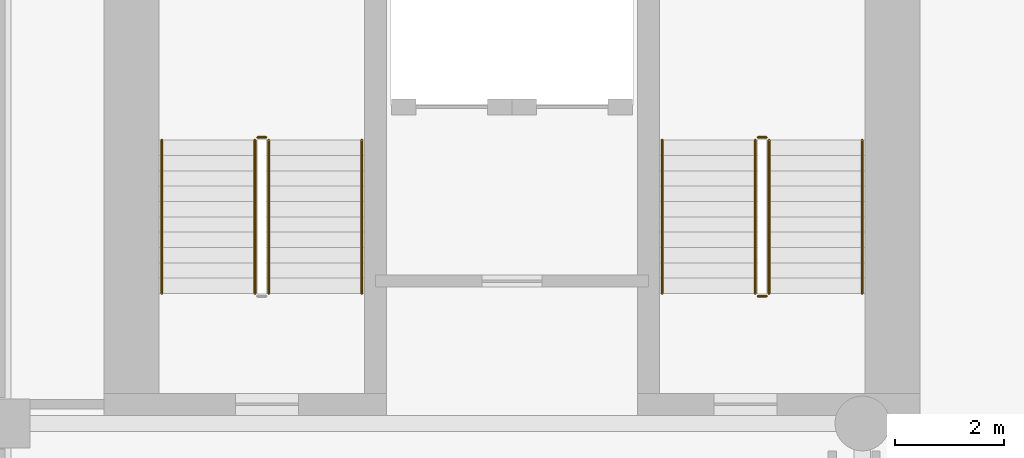
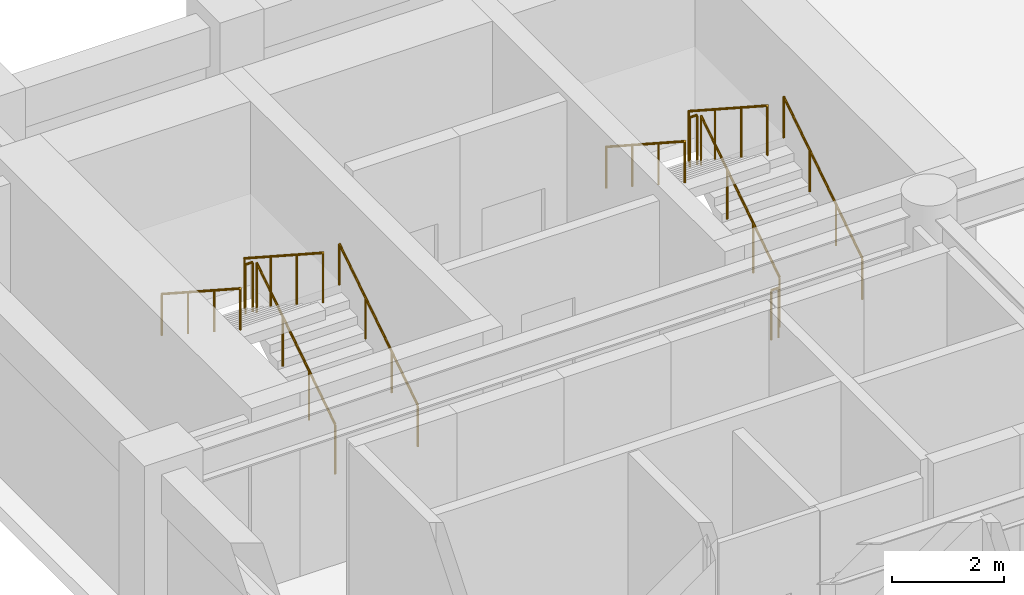
# One storey, part 8 of 9: 11 railings.
"""IFC4 building model written with IfcOpenShell, lengths in metres."""

from ifc_helpers import new_model, si_unit, direction, frame, origin, origin_2d, place, context, subcontext, project, spatial, circle, extrude, material, type_object, element, save


model = new_model("IFC4")

# Units and contexts
model_context = context("Model", 3, precision=1e-05, world=origin(), true_north=direction((0.0, 1.0)))
body_context = subcontext(model_context, "Body", "Model", "MODEL_VIEW")
ifc_project = project(units=[si_unit("LENGTHUNIT", "METRE"), si_unit("AREAUNIT", "SQUARE_METRE"), si_unit("VOLUMEUNIT", "CUBIC_METRE"), si_unit("PLANEANGLEUNIT", "RADIAN"), si_unit("MASSUNIT", "GRAM", prefix="KILO")], contexts=[model_context])

# Site, building, storey
site_placement = place(None, origin())
site = spatial("IfcSite", under=ifc_project, at=site_placement, CompositionType="ELEMENT")
building_placement = place(site_placement, origin())
building = spatial("IfcBuilding", under=site, at=building_placement, Name="Sulina Concourse Tower", CompositionType="ELEMENT")
storey_placement = place(building_placement, frame((0.0, 0.0, 66.60009765625)))
storey = spatial("IfcBuildingStorey", under=building, at=storey_placement, Name="L16", CompositionType="ELEMENT", Elevation=66.60009765625)

# Railings
ifc_material_1 = material(Name="Galvanised steel railing", Category="steel")
railing_type_1 = type_object("IfcRailingType", Name="Core Stair Steel Guardrail 1150mm", PredefinedType="GUARDRAIL", material=ifc_material_1)
railing_1_placement = place(storey_placement, frame((5.554931640625, 36.375, 0.181640625)))
element("IfcRailing", 1, at=railing_1_placement, inside=storey, type_object=railing_type_1, Name="L16 ST-1 stair guard 1", PredefinedType="GUARDRAIL", context=body_context, shape_type="SweptSolid", body=[
    extrude(circle(Radius=0.02392578125, at=origin_2d()), frame((0.0, 0.0, 1.076171875), z_axis=(0.0, 0.838672427954, 0.544636170843), x_axis=(-1.0, 0.0, 0.0)), (0.0, 0.0, 1.0), 3.338623046875),
    extrude(circle(Radius=0.02099609375, at=origin_2d()), origin(), (0.0, 0.0, 1.0), 1.052001953125),
    extrude(circle(Radius=0.02099609375, at=origin_2d()), frame((0.0, 0.933349609375, 0.606201171875)), (0.0, 0.0, 1.0), 1.052001953125),
    extrude(circle(Radius=0.02099609375, at=origin_2d()), frame((0.0, 1.86669921875, 1.212158203125)), (0.0, 0.0, 1.0), 1.052001953125),
    extrude(circle(Radius=0.02099609375, at=origin_2d()), frame((0.0, 2.800048828125, 1.818359375)), (0.0, 0.0, 1.0), 1.052001953125),
])
railing_2_placement = place(storey_placement, frame((5.5048828125, 39.22509765625, 2.0)))
element("IfcRailing", 2, at=railing_2_placement, inside=storey, type_object=railing_type_1, Name="L16 ST-1 stair guard 2", PredefinedType="GUARDRAIL", context=body_context, shape_type="SweptSolid", body=[
    extrude(circle(Radius=0.02392578125, at=origin_2d()), frame((0.0, 0.0, 1.076171875), z_axis=(-1.0, 0.0, 0.0), x_axis=(0.0, -1.0, 0.0)), (0.0, 0.0, 1.0), 0.14990234375),
    extrude(circle(Radius=0.02099609375, at=origin_2d()), origin(), (0.0, 0.0, 1.0), 1.052001953125),
    extrude(circle(Radius=0.02099609375, at=origin_2d()), frame((-0.14990234375, 0.0, 0.0)), (0.0, 0.0, 1.0), 1.052001953125),
])
railing_3_placement = place(storey_placement, frame((5.304931640625, 39.175048828125, 2.181640625)))
element("IfcRailing", 3, at=railing_3_placement, inside=storey, type_object=railing_type_1, Name="L16 ST-1 stair guard 3", PredefinedType="GUARDRAIL", context=body_context, shape_type="SweptSolid", body=[
    extrude(circle(Radius=0.02392578125, at=origin_2d()), frame((0.0, 0.0, 1.076171875), z_axis=(0.0, -0.838672427954, 0.544636170843), x_axis=(1.0, 0.0, 0.0)), (0.0, 0.0, 1.0), 3.338623046875),
    extrude(circle(Radius=0.02099609375, at=origin_2d()), origin(), (0.0, 0.0, 1.0), 1.052001953125),
    extrude(circle(Radius=0.02099609375, at=origin_2d()), frame((0.0, -0.933349609375, 0.606201171875)), (0.0, 0.0, 1.0), 1.052001953125),
    extrude(circle(Radius=0.02099609375, at=origin_2d()), frame((0.0, -1.86669921875, 1.212158203125)), (0.0, 0.0, 1.0), 1.052001953125),
    extrude(circle(Radius=0.02099609375, at=origin_2d()), frame((0.0, -2.800048828125, 1.818359375)), (0.0, 0.0, 1.0), 1.052001953125),
])
railing_4_placement = place(storey_placement, frame((14.695068359375, 36.375, 0.181640625)))
element("IfcRailing", 4, at=railing_4_placement, inside=storey, type_object=railing_type_1, Name="L16 ST-2 stair guard 1", PredefinedType="GUARDRAIL", context=body_context, shape_type="SweptSolid", body=[
    extrude(circle(Radius=0.02392578125, at=origin_2d()), frame((0.0, 0.0, 1.076171875), z_axis=(0.0, 0.838672427954, 0.544636170843), x_axis=(-1.0, 0.0, 0.0)), (0.0, 0.0, 1.0), 3.338623046875),
    extrude(circle(Radius=0.02099609375, at=origin_2d()), origin(), (0.0, 0.0, 1.0), 1.052001953125),
    extrude(circle(Radius=0.02099609375, at=origin_2d()), frame((0.0, 0.933349609375, 0.606201171875)), (0.0, 0.0, 1.0), 1.052001953125),
    extrude(circle(Radius=0.02099609375, at=origin_2d()), frame((0.0, 1.86669921875, 1.212158203125)), (0.0, 0.0, 1.0), 1.052001953125),
    extrude(circle(Radius=0.02099609375, at=origin_2d()), frame((0.0, 2.800048828125, 1.818359375)), (0.0, 0.0, 1.0), 1.052001953125),
])
railing_5_placement = place(storey_placement, frame((14.64501953125, 39.22509765625, 2.0)))
element("IfcRailing", 5, at=railing_5_placement, inside=storey, type_object=railing_type_1, Name="L16 ST-2 stair guard 2", PredefinedType="GUARDRAIL", context=body_context, shape_type="SweptSolid", body=[
    extrude(circle(Radius=0.02392578125, at=origin_2d()), frame((0.0, 0.0, 1.076171875), z_axis=(-1.0, 0.0, 0.0), x_axis=(0.0, -1.0, 0.0)), (0.0, 0.0, 1.0), 0.14990234375),
    extrude(circle(Radius=0.02099609375, at=origin_2d()), origin(), (0.0, 0.0, 1.0), 1.052001953125),
    extrude(circle(Radius=0.02099609375, at=origin_2d()), frame((-0.14990234375, 0.0, 0.0)), (0.0, 0.0, 1.0), 1.052001953125),
])
railing_6_placement = place(storey_placement, frame((14.445068359375, 39.175048828125, 2.181640625)))
element("IfcRailing", 6, at=railing_6_placement, inside=storey, type_object=railing_type_1, Name="L16 ST-2 stair guard 3", PredefinedType="GUARDRAIL", context=body_context, shape_type="SweptSolid", body=[
    extrude(circle(Radius=0.02392578125, at=origin_2d()), frame((0.0, 0.0, 1.076171875), z_axis=(0.0, -0.838672427954, 0.544636170843), x_axis=(1.0, 0.0, 0.0)), (0.0, 0.0, 1.0), 3.338623046875),
    extrude(circle(Radius=0.02099609375, at=origin_2d()), origin(), (0.0, 0.0, 1.0), 1.052001953125),
    extrude(circle(Radius=0.02099609375, at=origin_2d()), frame((0.0, -0.933349609375, 0.606201171875)), (0.0, 0.0, 1.0), 1.052001953125),
    extrude(circle(Radius=0.02099609375, at=origin_2d()), frame((0.0, -1.86669921875, 1.212158203125)), (0.0, 0.0, 1.0), 1.052001953125),
    extrude(circle(Radius=0.02099609375, at=origin_2d()), frame((0.0, -2.800048828125, 1.818359375)), (0.0, 0.0, 1.0), 1.052001953125),
])
railing_7_placement = place(storey_placement, frame((14.64501953125, 36.324951171875, 0.0)))
element("IfcRailing", 7, at=railing_7_placement, inside=storey, type_object=railing_type_1, Name="L16 ST-2 stair guard 4", PredefinedType="GUARDRAIL", context=body_context, shape_type="SweptSolid", body=[
    extrude(circle(Radius=0.02392578125, at=origin_2d()), frame((0.0, 0.0, 1.076171875), z_axis=(-1.0, 0.0, 0.0), x_axis=(0.0, -1.0, 0.0)), (0.0, 0.0, 1.0), 0.14990234375),
    extrude(circle(Radius=0.02099609375, at=origin_2d()), origin(), (0.0, 0.0, 1.0), 1.052001953125),
    extrude(circle(Radius=0.02099609375, at=origin_2d()), frame((-0.14990234375, 0.0, 0.0)), (0.0, 0.0, 1.0), 1.052001953125),
])
ifc_material_2 = material(Name="Galvanised steel railing", Category="steel")
railing_type_2 = type_object("IfcRailingType", Name="Stair Wall Steel Handrail 920mm", PredefinedType="HANDRAIL", material=ifc_material_2)
railing_8_placement = place(storey_placement, frame((7.2548828125, 36.375, 0.181640625)))
element("IfcRailing", 8, at=railing_8_placement, inside=storey, type_object=railing_type_2, Name="L16 ST-1 stair handrail 1", PredefinedType="HANDRAIL", context=body_context, shape_type="SweptSolid", body=[
    extrude(circle(Radius=0.02392578125, at=origin_2d()), frame((0.0, 0.0, 0.89599609375), z_axis=(0.0, 0.838672427954, 0.544636170843), x_axis=(-1.0, 0.0, 0.0)), (0.0, 0.0, 1.0), 3.338623046875),
    extrude(circle(Radius=0.02099609375, at=origin_2d()), origin(), (0.0, 0.0, 1.0), 0.871826171875),
    extrude(circle(Radius=0.02099609375, at=origin_2d()), frame((0.0, 0.933349609375, 0.606201171875)), (0.0, 0.0, 1.0), 0.871826171875),
    extrude(circle(Radius=0.02099609375, at=origin_2d()), frame((0.0, 1.86669921875, 1.212158203125)), (0.0, 0.0, 1.0), 0.871826171875),
    extrude(circle(Radius=0.02099609375, at=origin_2d()), frame((0.0, 2.800048828125, 1.818359375)), (0.0, 0.0, 1.0), 0.871826171875),
])
railing_9_placement = place(storey_placement, frame((3.60498046875, 39.175048828125, 2.181640625)))
element("IfcRailing", 9, at=railing_9_placement, inside=storey, type_object=railing_type_2, Name="L16 ST-1 stair handrail 2", PredefinedType="HANDRAIL", context=body_context, shape_type="SweptSolid", body=[
    extrude(circle(Radius=0.02392578125, at=origin_2d()), frame((0.0, 0.0, 0.89599609375), z_axis=(0.0, -0.838672427954, 0.544636170843), x_axis=(1.0, 0.0, 0.0)), (0.0, 0.0, 1.0), 3.338623046875),
    extrude(circle(Radius=0.02099609375, at=origin_2d()), origin(), (0.0, 0.0, 1.0), 0.871826171875),
    extrude(circle(Radius=0.02099609375, at=origin_2d()), frame((0.0, -0.933349609375, 0.606201171875)), (0.0, 0.0, 1.0), 0.871826171875),
    extrude(circle(Radius=0.02099609375, at=origin_2d()), frame((0.0, -1.86669921875, 1.212158203125)), (0.0, 0.0, 1.0), 0.871826171875),
    extrude(circle(Radius=0.02099609375, at=origin_2d()), frame((0.0, -2.800048828125, 1.818359375)), (0.0, 0.0, 1.0), 0.871826171875),
])
railing_10_placement = place(storey_placement, frame((16.39501953125, 36.375, 0.181640625)))
element("IfcRailing", 10, at=railing_10_placement, inside=storey, type_object=railing_type_2, Name="L16 ST-2 stair handrail 1", PredefinedType="HANDRAIL", context=body_context, shape_type="SweptSolid", body=[
    extrude(circle(Radius=0.02392578125, at=origin_2d()), frame((0.0, 0.0, 0.89599609375), z_axis=(0.0, 0.838672427954, 0.544636170843), x_axis=(-1.0, 0.0, 0.0)), (0.0, 0.0, 1.0), 3.338623046875),
    extrude(circle(Radius=0.02099609375, at=origin_2d()), origin(), (0.0, 0.0, 1.0), 0.871826171875),
    extrude(circle(Radius=0.02099609375, at=origin_2d()), frame((0.0, 0.933349609375, 0.606201171875)), (0.0, 0.0, 1.0), 0.871826171875),
    extrude(circle(Radius=0.02099609375, at=origin_2d()), frame((0.0, 1.86669921875, 1.212158203125)), (0.0, 0.0, 1.0), 0.871826171875),
    extrude(circle(Radius=0.02099609375, at=origin_2d()), frame((0.0, 2.800048828125, 1.818359375)), (0.0, 0.0, 1.0), 0.871826171875),
])
railing_11_placement = place(storey_placement, frame((12.7451171875, 39.175048828125, 2.181640625)))
element("IfcRailing", 11, at=railing_11_placement, inside=storey, type_object=railing_type_2, Name="L16 ST-2 stair handrail 2", PredefinedType="HANDRAIL", context=body_context, shape_type="SweptSolid", body=[
    extrude(circle(Radius=0.02392578125, at=origin_2d()), frame((0.0, 0.0, 0.89599609375), z_axis=(0.0, -0.838672427954, 0.544636170843), x_axis=(1.0, 0.0, 0.0)), (0.0, 0.0, 1.0), 3.338623046875),
    extrude(circle(Radius=0.02099609375, at=origin_2d()), origin(), (0.0, 0.0, 1.0), 0.871826171875),
    extrude(circle(Radius=0.02099609375, at=origin_2d()), frame((0.0, -0.933349609375, 0.606201171875)), (0.0, 0.0, 1.0), 0.871826171875),
    extrude(circle(Radius=0.02099609375, at=origin_2d()), frame((0.0, -1.86669921875, 1.212158203125)), (0.0, 0.0, 1.0), 0.871826171875),
    extrude(circle(Radius=0.02099609375, at=origin_2d()), frame((0.0, -2.800048828125, 1.818359375)), (0.0, 0.0, 1.0), 0.871826171875),
])

save(model, "model.ifc")
